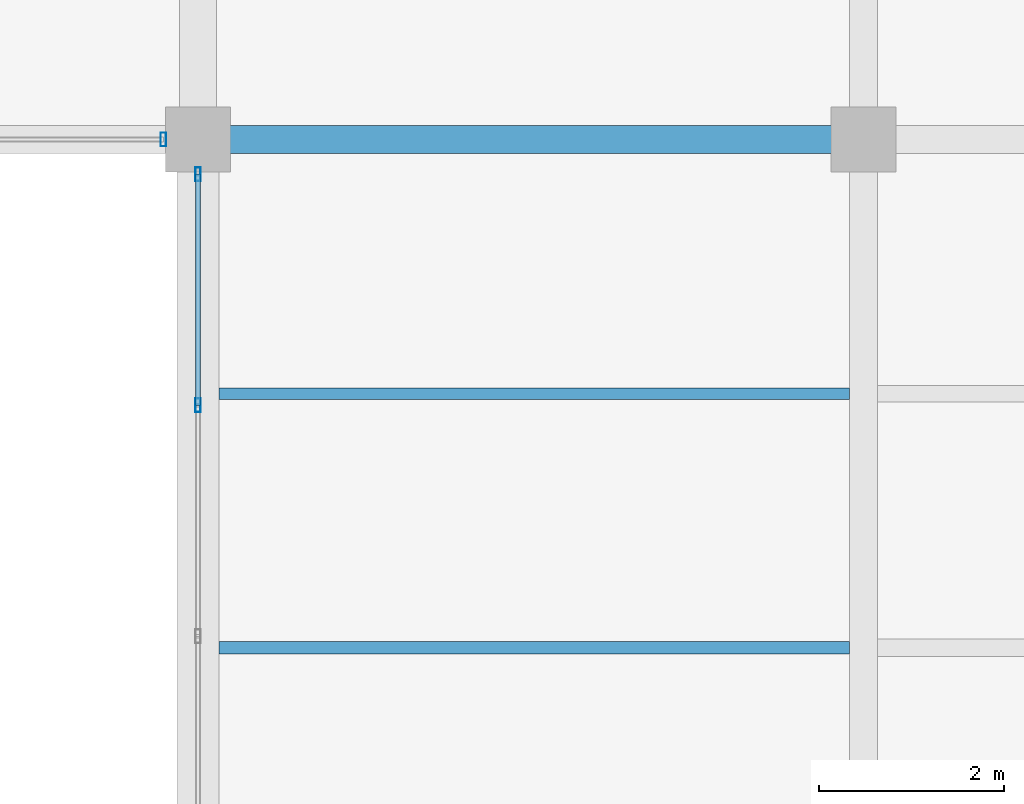
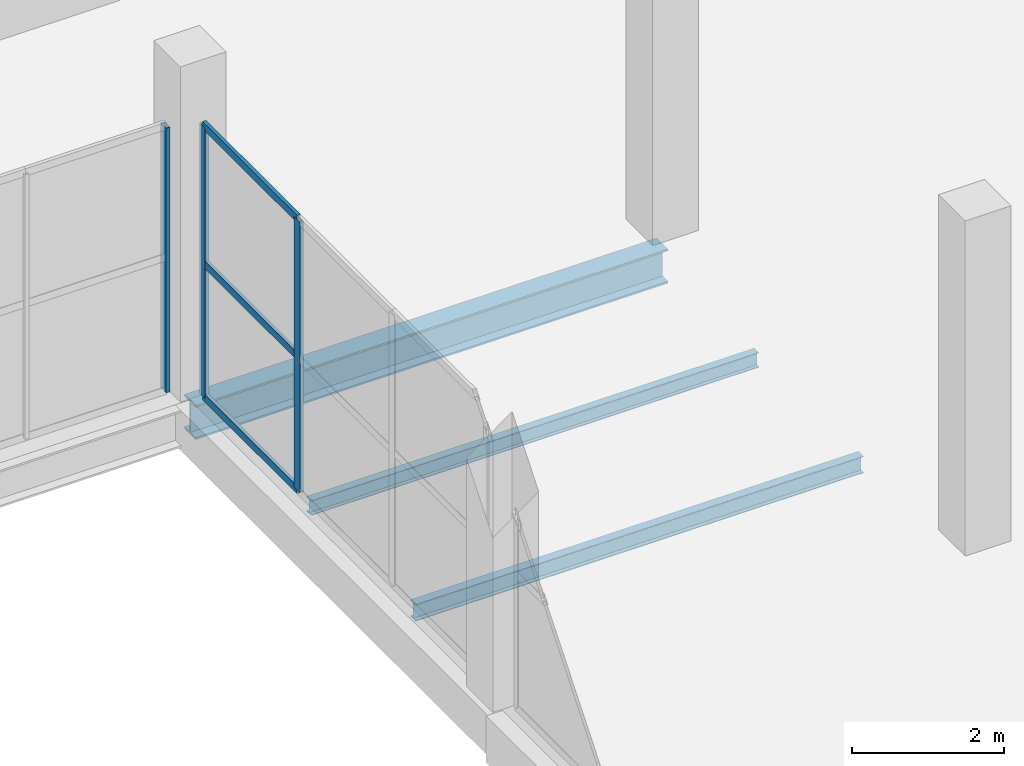
# One storey, part 111 of 147: 6 members, 3 beams, 2 elements without a shape of their own.
"""IFC4 building model written with IfcOpenShell, lengths in metres."""

from ifc_helpers import new_model, si_unit, direction, frame, origin, origin_2d, place, context, subcontext, project, spatial, hollow_rectangle, i_section, extrude, material, layer, layer_set, material_profile, profile_set, type_object, element, aggregate, save


model = new_model("IFC4")

# Units and contexts
model_context = context("Model", 3, precision=1e-05, world=origin(), true_north=direction((0.0, 1.0)))
body_context = subcontext(model_context, "Body", "Model", "MODEL_VIEW")
ifc_project = project(units=[si_unit("LENGTHUNIT", "METRE"), si_unit("AREAUNIT", "SQUARE_METRE"), si_unit("VOLUMEUNIT", "CUBIC_METRE"), si_unit("PLANEANGLEUNIT", "RADIAN"), si_unit("MASSUNIT", "GRAM", prefix="KILO")], contexts=[model_context])

# Site, building, storey
site_placement = place(None, origin())
site = spatial("IfcSite", under=ifc_project, at=site_placement, CompositionType="ELEMENT")
building_placement = place(site_placement, origin())
building = spatial("IfcBuilding", under=site, at=building_placement, Name="Sundgate Opera House", CompositionType="ELEMENT")
storey_placement = place(building_placement, frame((0.0, 0.0, 6.0)))
storey = spatial("IfcBuildingStorey", under=building, at=storey_placement, Name="L01", CompositionType="ELEMENT", Elevation=6.0)

# Beams
ifc_material_1 = material(Name="Steel S355J2", Category="steel")
ifc_material_profile_1 = material_profile(ifc_material_1, i_section(OverallWidth=0.300048828125, OverallDepth=0.550048828125, WebThickness=0.014892578125, FlangeThickness=0.029052734375, at=origin_2d()), Name="HEB 550")
ifc_profile_set_1 = profile_set([ifc_material_profile_1], Name="Steel S355J2")
beam_type_1 = type_object("IfcBeamType", Name="BM-GR-HEB550", PredefinedType="BEAM", material=ifc_profile_set_1)
beam_1_placement = place(storey_placement, frame((153.0, 111.75, -0.574951171875), z_axis=(1.0, 0.0, 0.0), x_axis=(0.0, 1.0, 0.0)))
element("IfcBeam", 1, at=beam_1_placement, inside=storey, type_object=beam_type_1, Name="L01 Primary E-W Girder B1449", PredefinedType="BEAM", context=body_context, shape_type="SweptSolid", body=[
    extrude(i_section(OverallWidth=0.300048828125, OverallDepth=0.550048828125, WebThickness=0.014892578125, FlangeThickness=0.029052734375, at=origin_2d()), origin(), (0.0, 0.0, 1.0), 7.199951171875),
])
ifc_material_2 = material(Name="Steel S355J2", Category="steel")
ifc_material_profile_2 = material_profile(ifc_material_2, i_section(OverallWidth=0.1201171875, OverallDepth=0.239990234375, WebThickness=0.006103515625, FlangeThickness=0.009765625, at=origin_2d()), Name="IPE 240")
ifc_profile_set_2 = profile_set([ifc_material_profile_2], Name="Steel S355J2")
beam_type_2 = type_object("IfcBeamType", Name="BM-JS-IPE240", PredefinedType="JOIST", material=ifc_profile_set_2)
beam_2_placement = place(storey_placement, frame((153.22509765625, 109.0, -0.419921875), z_axis=(1.0, 0.0, 0.0), x_axis=(0.0, 1.0, 0.0)))
element("IfcBeam", 2, at=beam_2_placement, inside=storey, type_object=beam_type_2, Name="L01 Secondary Floor Joist B1735", PredefinedType="JOIST", context=body_context, shape_type="SweptSolid", body=[
    extrude(i_section(OverallWidth=0.1201171875, OverallDepth=0.239990234375, WebThickness=0.006103515625, FlangeThickness=0.009765625, at=origin_2d()), origin(), (0.0, 0.0, 1.0), 6.824951171875),
])
ifc_material_3 = material(Name="Steel S355J2", Category="steel")
ifc_material_profile_3 = material_profile(ifc_material_3, i_section(OverallWidth=0.135009765625, OverallDepth=0.27001953125, WebThickness=0.006591796875, FlangeThickness=0.01025390625, at=origin_2d()), Name="IPE 270")
ifc_profile_set_3 = profile_set([ifc_material_profile_3], Name="Steel S355J2")
beam_type_3 = type_object("IfcBeamType", Name="BM-JS-IPE270", PredefinedType="JOIST", material=ifc_profile_set_3)
beam_3_placement = place(storey_placement, frame((153.22509765625, 106.25, -0.43505859375), z_axis=(1.0, 0.0, 0.0), x_axis=(0.0, 1.0, 0.0)))
element("IfcBeam", 3, at=beam_3_placement, inside=storey, type_object=beam_type_3, Name="L01 Secondary Floor Joist B1734", PredefinedType="JOIST", context=body_context, shape_type="SweptSolid", body=[
    extrude(i_section(OverallWidth=0.135009765625, OverallDepth=0.27001953125, WebThickness=0.006591796875, FlangeThickness=0.01025390625, at=origin_2d()), origin(), (0.0, 0.0, 1.0), 6.824951171875),
])

# Curtain wall, member
ifc_material_4 = material(Name="Anodized aluminium and low-iron glass", Category="aluminium")
ifc_layer = layer(ifc_material_4, 0.159912109375)
ifc_layer_set = layer_set([ifc_layer], Name="Anodized aluminium and low-iron glass")
curtain_wall_type = type_object("IfcCurtainWallType", Name="CW-STUDIO-DARK", PredefinedType="NOTDEFINED", material=ifc_layer_set)
curtain_wall_1_placement = place(storey_placement, origin())
curtain_wall_1 = element("IfcCurtainWall", 4, at=curtain_wall_1_placement, inside=storey, type_object=curtain_wall_type, Name="L01 Curtain Wall CW101", PredefinedType="NOTDEFINED")
ifc_material_5 = material(Name="Anodized aluminium EN AW-6063", Category="aluminium")
ifc_material_profile_4 = material_profile(ifc_material_5, hollow_rectangle(XDim=0.06005859375, YDim=0.14990234375, WallThickness=0.00390625, at=origin_2d()), Name="CWM 150x60x4")
ifc_profile_set_4 = profile_set([ifc_material_profile_4], Name="Anodized aluminium EN AW-6063")
member_type_1 = type_object("IfcMemberType", Name="CWM-ALU-150x60", PredefinedType="MULLION", material=ifc_profile_set_4)
member_1_placement = place(storey_placement, frame((152.625, 111.75, 0.0), z_axis=(0.0, 0.0, 1.0), x_axis=(1.0, 0.0, 0.0)))
member_1 = element("IfcMember", 5, at=member_1_placement, type_object=member_type_1, Name="CW101 Mullion 1", PredefinedType="MULLION", context=body_context, shape_type="SweptSolid", body=[
    extrude(hollow_rectangle(XDim=0.06005859375, YDim=0.14990234375, WallThickness=0.00390625, at=origin_2d()), origin(), (0.0, 0.0, 1.0), 4.264892578125),
])
aggregate(curtain_wall_1, [member_1])

# Curtain wall, members
curtain_wall_2_placement = place(storey_placement, origin())
curtain_wall_2 = element("IfcCurtainWall", 6, at=curtain_wall_2_placement, inside=storey, type_object=curtain_wall_type, Name="L01 Curtain Wall CW107", PredefinedType="NOTDEFINED")
member_2_placement = place(storey_placement, frame((153.0, 111.375, 0.0), z_axis=(0.0, 0.0, 1.0), x_axis=(1.0, 0.0, 0.0)))
member_2 = element("IfcMember", 7, at=member_2_placement, type_object=member_type_1, Name="CW107 Mullion 1", PredefinedType="MULLION", context=body_context, shape_type="SweptSolid", body=[
    extrude(hollow_rectangle(XDim=0.06005859375, YDim=0.14990234375, WallThickness=0.00390625, at=origin_2d()), origin(), (0.0, 0.0, 1.0), 4.364990234375),
])
member_3_placement = place(storey_placement, frame((153.0, 108.875, 0.0), z_axis=(0.0, 0.0, 1.0), x_axis=(1.0, 0.0, 0.0)))
member_3 = element("IfcMember", 8, at=member_3_placement, type_object=member_type_1, Name="CW107 Mullion 2", PredefinedType="MULLION", context=body_context, shape_type="SweptSolid", body=[
    extrude(hollow_rectangle(XDim=0.06005859375, YDim=0.14990234375, WallThickness=0.00390625, at=origin_2d()), origin(), (0.0, 0.0, 1.0), 4.364990234375),
])
ifc_material_6 = material(Name="Anodized aluminium EN AW-6063", Category="aluminium")
ifc_material_profile_5 = material_profile(ifc_material_6, hollow_rectangle(XDim=0.054931640625, YDim=0.1201171875, WallThickness=0.00390625, at=origin_2d()), Name="CWT 120x55x4")
ifc_profile_set_5 = profile_set([ifc_material_profile_5], Name="Anodized aluminium EN AW-6063")
member_type_2 = type_object("IfcMemberType", Name="CWT-ALU-120x55", PredefinedType="USERDEFINED", material=ifc_profile_set_5)
member_4_placement = place(storey_placement, frame((153.0, 111.375, 0.0), z_axis=(0.0, -1.0, 0.0), x_axis=(1.0, 0.0, 0.0)))
member_4 = element("IfcMember", 9, at=member_4_placement, type_object=member_type_2, Name="CW107 Transom 1", ObjectType="TRANSOM", PredefinedType="USERDEFINED", context=body_context, shape_type="SweptSolid", body=[
    extrude(hollow_rectangle(XDim=0.054931640625, YDim=0.1201171875, WallThickness=0.00390625, at=origin_2d()), origin(), (0.0, 0.0, 1.0), 2.5),
])
member_5_placement = place(storey_placement, frame((153.0, 111.375, 2.14990234375), z_axis=(0.0, -1.0, 0.0), x_axis=(1.0, 0.0, 0.0)))
member_5 = element("IfcMember", 10, at=member_5_placement, type_object=member_type_2, Name="CW107 Transom 2", ObjectType="TRANSOM", PredefinedType="USERDEFINED", context=body_context, shape_type="SweptSolid", body=[
    extrude(hollow_rectangle(XDim=0.054931640625, YDim=0.1201171875, WallThickness=0.00390625, at=origin_2d()), origin(), (0.0, 0.0, 1.0), 2.5),
])
member_6_placement = place(storey_placement, frame((153.0, 111.375, 4.364990234375), z_axis=(0.0, -1.0, 0.0), x_axis=(1.0, 0.0, 0.0)))
member_6 = element("IfcMember", 11, at=member_6_placement, type_object=member_type_2, Name="CW107 Transom 3", ObjectType="TRANSOM", PredefinedType="USERDEFINED", context=body_context, shape_type="SweptSolid", body=[
    extrude(hollow_rectangle(XDim=0.054931640625, YDim=0.1201171875, WallThickness=0.00390625, at=origin_2d()), origin(), (0.0, 0.0, 1.0), 2.5),
])
aggregate(curtain_wall_2, [member_2, member_3, member_4, member_5, member_6])

save(model, "model.ifc")
